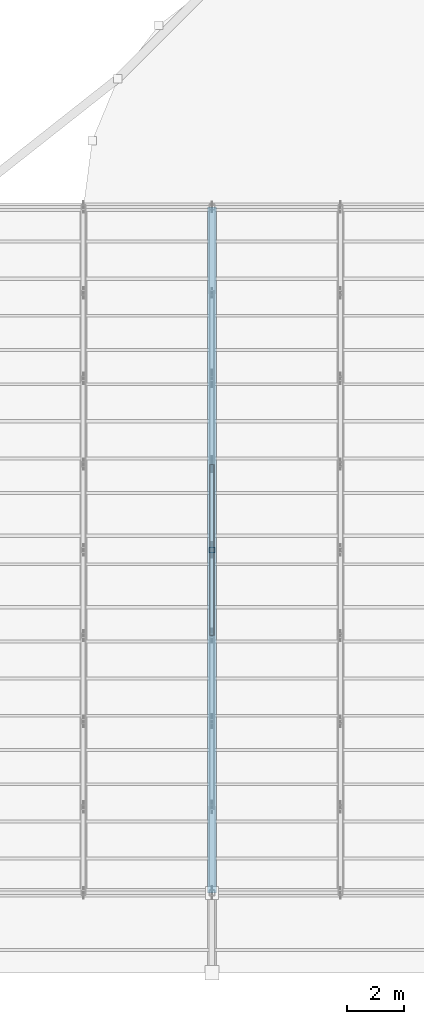
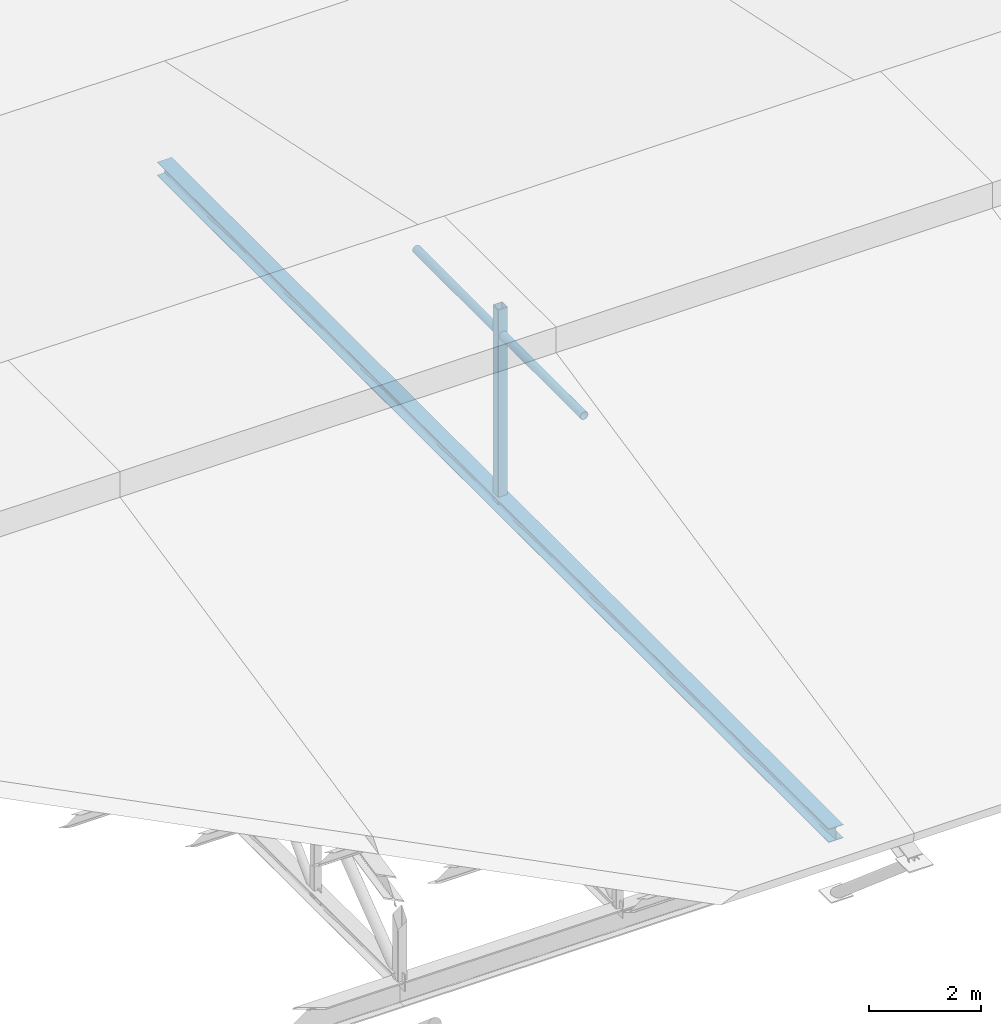
# One storey, part 13 of 43: 3 members.
"""IFC4 building model written with IfcOpenShell, lengths in metres."""

from ifc_helpers import new_model, si_unit, direction, frame, origin, origin_2d, place, context, subcontext, project, spatial, hollow_rectangle, hollow_circle, i_section, extrude, material, material_profile, profile_set, type_object, element, save


model = new_model("IFC4")

# Units and contexts
model_context = context("Model", 3, precision=1e-05, world=origin(), true_north=direction((0.0, 1.0)))
body_context = subcontext(model_context, "Body", "Model", "MODEL_VIEW")
ifc_project = project(units=[si_unit("LENGTHUNIT", "METRE"), si_unit("AREAUNIT", "SQUARE_METRE"), si_unit("VOLUMEUNIT", "CUBIC_METRE"), si_unit("PLANEANGLEUNIT", "RADIAN"), si_unit("MASSUNIT", "GRAM", prefix="KILO")], contexts=[model_context])

# Site, building, storey
site_placement = place(None, origin())
site = spatial("IfcSite", under=ifc_project, at=site_placement, CompositionType="ELEMENT")
building_placement = place(site_placement, origin())
building = spatial("IfcBuilding", under=site, at=building_placement, Name="Serraforn Aerial Cableway Station", CompositionType="ELEMENT")
storey_placement = place(building_placement, frame((0.0, 0.0, 18.300048828125)))
storey = spatial("IfcBuildingStorey", under=building, at=storey_placement, Name="RF", CompositionType="ELEMENT", Elevation=18.300048828125)

# Members
ifc_material = material(Name="Steel S355J2", Category="steel")
ifc_material_profile_1 = material_profile(ifc_material, i_section(OverallWidth=0.300048828125, OverallDepth=0.300048828125, WebThickness=0.008544921875, FlangeThickness=0.013916015625, FilletRadius=0.027099609375, at=origin_2d()), Name="HEA 300")
ifc_profile_set_1 = profile_set([ifc_material_profile_1], Name="Steel S355J2")
member_type_1 = type_object("IfcMemberType", Name="MEM-BC-HEA300", PredefinedType="CHORD", material=ifc_profile_set_1)
member_1_placement = place(storey_placement, frame((54.60009765625, 18.0, -1.35009765625), z_axis=(0.0, 1.0, 0.0), x_axis=(-1.0, 0.0, 0.0)))
element("IfcMember", 1, at=member_1_placement, inside=storey, type_object=member_type_1, Name="Roof Truss TR-04 Bottom Chord", PredefinedType="CHORD", context=body_context, shape_type="SweptSolid", body=[
    extrude(i_section(OverallWidth=0.300048828125, OverallDepth=0.300048828125, WebThickness=0.008544921875, FlangeThickness=0.013916015625, FilletRadius=0.027099609375, at=origin_2d()), origin(), (0.0, 0.0, 1.0), 24.0),
])
ifc_material_profile_2 = material_profile(ifc_material, hollow_circle(Radius=0.084228515625, WallThickness=0.008056640625, at=origin_2d()), Name="CHS 168.3x8.0")
ifc_profile_set_2 = profile_set([ifc_material_profile_2], Name="Steel S355J2")
member_type_2 = type_object("IfcMemberType", Name="MEM-CL-CHS168", PredefinedType="COLLAR", material=ifc_profile_set_2)
member_2_placement = place(storey_placement, frame((54.60009765625, 27.0, 2.3076171875), z_axis=(0.0, 1.0, 0.0), x_axis=(-1.0, 0.0, 0.0)))
element("IfcMember", 2, at=member_2_placement, inside=storey, type_object=member_type_2, Name="Roof Truss TR-04 Collar Tie", PredefinedType="COLLAR", context=body_context, shape_type="SweptSolid", body=[
    extrude(hollow_circle(Radius=0.084228515625, WallThickness=0.008056640625, at=origin_2d()), origin(), (0.0, 0.0, 1.0), 6.0),
])
ifc_material_profile_3 = material_profile(ifc_material, hollow_rectangle(XDim=0.199951171875, YDim=0.199951171875, WallThickness=0.010009765625, InnerFilletRadius=0.010009765625, OuterFilletRadius=0.02001953125, at=origin_2d()), Name="SHS 200x200x10.0")
ifc_profile_set_3 = profile_set([ifc_material_profile_3], Name="Steel S355J2")
member_type_3 = type_object("IfcMemberType", Name="MEM-VP-SHS200", PredefinedType="STRUT", material=ifc_profile_set_3)
member_3_placement = place(storey_placement, frame((54.60009765625, 30.0, -1.360107421875), z_axis=(0.0, 0.0, 1.0), x_axis=(1.0, 0.0, 0.0)))
element("IfcMember", 3, at=member_3_placement, inside=storey, type_object=member_type_3, Name="Roof Truss TR-04 Vertical Post 5", PredefinedType="STRUT", context=body_context, shape_type="SweptSolid", body=[
    extrude(hollow_rectangle(XDim=0.199951171875, YDim=0.199951171875, WallThickness=0.010009765625, InnerFilletRadius=0.010009765625, OuterFilletRadius=0.02001953125, at=origin_2d()), origin(), (0.0, 0.0, 1.0), 4.24609375),
])

save(model, "model.ifc")
